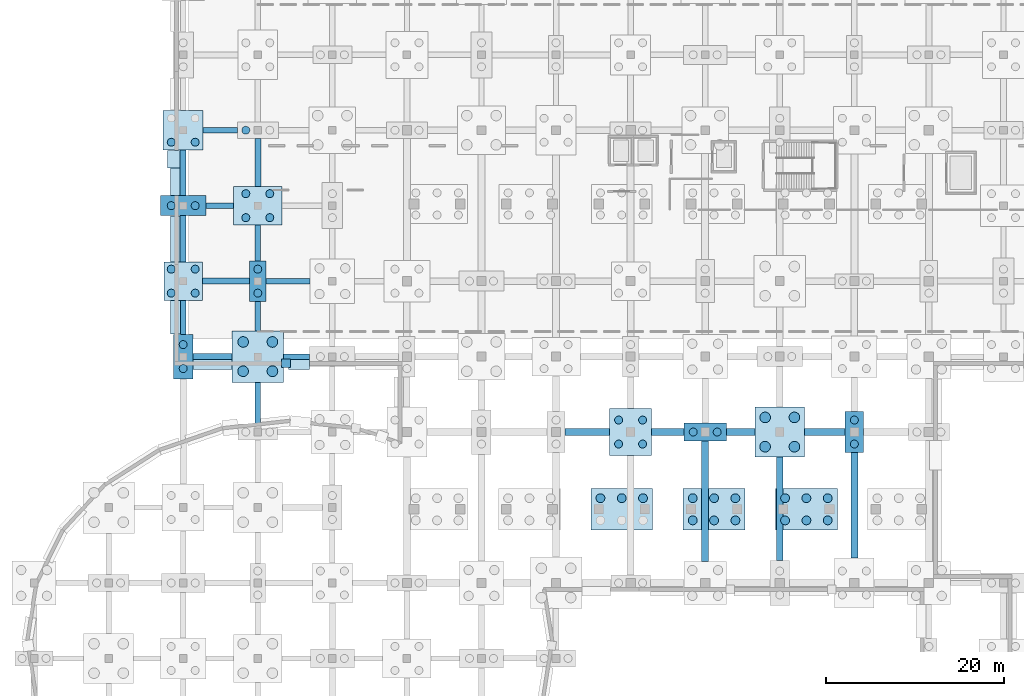
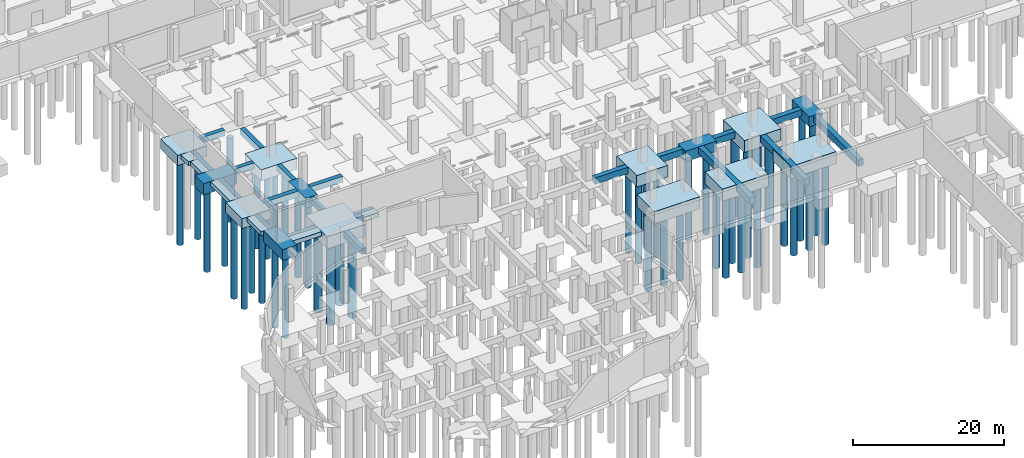
# One storey, part 5 of 34: 48 piles, 41 footings.
"""IFC4 building model written with IfcOpenShell, lengths in metres."""

from ifc_helpers import new_model, si_unit, direction, frame, origin, origin_2d, place, context, subcontext, project, spatial, rectangle, circle, extrude, material, material_profile, profile_set, type_object, element, save


model = new_model("IFC4")

# Units and contexts
model_context = context("Model", 3, precision=1e-05, world=origin(), true_north=direction((0.0, 1.0)))
body_context = subcontext(model_context, "Body", "Model", "MODEL_VIEW")
ifc_project = project(units=[si_unit("LENGTHUNIT", "METRE"), si_unit("AREAUNIT", "SQUARE_METRE"), si_unit("VOLUMEUNIT", "CUBIC_METRE"), si_unit("PLANEANGLEUNIT", "RADIAN"), si_unit("MASSUNIT", "GRAM", prefix="KILO")], contexts=[model_context])

# Site, building, storey
site_placement = place(None, origin())
site = spatial("IfcSite", under=ifc_project, at=site_placement, CompositionType="ELEMENT")
building_placement = place(site_placement, origin())
building = spatial("IfcBuilding", under=site, at=building_placement, Name="Solvento Point Concert Hall", CompositionType="ELEMENT")
storey_placement = place(building_placement, frame((0.0, 0.0, -5.39990234375)))
storey = spatial("IfcBuildingStorey", under=building, at=storey_placement, Name="B01", CompositionType="ELEMENT", Elevation=-5.39990234375)

# Piles
ifc_material_1 = material(Name="Concrete C40/50", Category="concrete")
ifc_material_profile_1 = material_profile(ifc_material_1, circle(Radius=0.5, at=origin_2d()), Name="BP-1000")
ifc_profile_set_1 = profile_set([ifc_material_profile_1], Name="Concrete C40/50")
pile_type_1 = type_object("IfcPileType", Name="BoredPile_1000", PredefinedType="BORED", material=ifc_profile_set_1)
for number, where, z_axis, x_axis, name in (
    (1, (96.199951171875, 52.050048828125, -1.880126953125), (0.0, 0.0, -1.0), (1.0, 0.0, 0.0), "Bored pile BoredPile_1000 #842"),
    (2, (98.60009765625, 52.050048828125, -1.880126953125), (0.0, 0.0, -1.0), (1.0, 0.0, 0.0), "Bored pile BoredPile_1000 #843"),
    (3, (101.0, 52.050048828125, -1.880126953125), (0.0, 0.0, -1.0), (1.0, 0.0, 0.0), "Bored pile BoredPile_1000 #844"),
    (4, (106.60009765625, 49.550048828125, -1.880126953125), (0.0, 0.0, -1.0), (1.0, 0.0, 0.0), "Bored pile BoredPile_1000 #851"),
    (5, (109.0, 49.550048828125, -1.880126953125), (0.0, 0.0, -1.0), (1.0, 0.0, 0.0), "Bored pile BoredPile_1000 #852"),
    (6, (111.39990234375, 49.550048828125, -1.880126953125), (0.0, 0.0, -1.0), (1.0, 0.0, 0.0), "Bored pile BoredPile_1000 #853"),
    (7, (106.60009765625, 52.050048828125, -1.880126953125), (0.0, 0.0, -1.0), (1.0, 0.0, 0.0), "Bored pile BoredPile_1000 #854"),
    (8, (109.0, 52.050048828125, -1.880126953125), (0.0, 0.0, -1.0), (1.0, 0.0, 0.0), "Bored pile BoredPile_1000 #855"),
    (9, (111.39990234375, 52.050048828125, -1.880126953125), (0.0, 0.0, -1.0), (1.0, 0.0, 0.0), "Bored pile BoredPile_1000 #856"),
    (10, (117.0, 49.550048828125, -1.880126953125), (0.0, 0.0, -1.0), (1.0, 0.0, 0.0), "Bored pile BoredPile_1000 #863"),
    (11, (119.39990234375, 49.550048828125, -1.880126953125), (0.0, 0.0, -1.0), (1.0, 0.0, 0.0), "Bored pile BoredPile_1000 #864"),
    (12, (121.800048828125, 49.550048828125, -1.880126953125), (0.0, 0.0, -1.0), (1.0, 0.0, 0.0), "Bored pile BoredPile_1000 #865"),
    (13, (117.0, 52.050048828125, -1.880126953125), (0.0, 0.0, -1.0), (1.0, 0.0, 0.0), "Bored pile BoredPile_1000 #866"),
    (14, (119.39990234375, 52.050048828125, -1.880126953125), (0.0, 0.0, -1.0), (1.0, 0.0, 0.0), "Bored pile BoredPile_1000 #867"),
    (15, (121.800048828125, 52.050048828125, -1.880126953125), (0.0, 0.0, -1.0), (1.0, 0.0, 0.0), "Bored pile BoredPile_1000 #868"),
):
    element("IfcPile", number, at=place(storey_placement, frame(where, z_axis=z_axis, x_axis=x_axis)), inside=storey, type_object=pile_type_1, Name=name, PredefinedType="BORED", context=body_context, shape_type="SweptSolid", body=[
        extrude(circle(Radius=0.5, at=origin_2d()), origin(), (0.0, 0.0, 1.0), 13.219970703125),
    ])
ifc_material_2 = material(Name="Concrete C40/50", Category="concrete")
ifc_material_profile_2 = material_profile(ifc_material_2, circle(Radius=0.60009765625, at=origin_2d()), Name="BP-1200")
ifc_profile_set_2 = profile_set([ifc_material_profile_2], Name="Concrete C40/50")
pile_type_2 = type_object("IfcPileType", Name="BoredPile_1200", PredefinedType="BORED", material=ifc_profile_set_2)
for number, where, z_axis, x_axis, name in (
    (16, (55.949951171875, 66.35009765625, -1.85009765625), (0.0, 0.0, -1.0), (1.0, 0.0, 0.0), "Bored pile BoredPile_1200 #187"),
    (17, (59.25, 66.35009765625, -1.85009765625), (0.0, 0.0, -1.0), (1.0, 0.0, 0.0), "Bored pile BoredPile_1200 #188"),
    (18, (55.949951171875, 69.64990234375, -1.85009765625), (0.0, 0.0, -1.0), (1.0, 0.0, 0.0), "Bored pile BoredPile_1200 #189"),
    (19, (59.25, 69.64990234375, -1.85009765625), (0.0, 0.0, -1.0), (1.0, 0.0, 0.0), "Bored pile BoredPile_1200 #190"),
):
    element("IfcPile", number, at=place(storey_placement, frame(where, z_axis=z_axis, x_axis=x_axis)), inside=storey, type_object=pile_type_2, Name=name, PredefinedType="BORED", context=body_context, shape_type="SweptSolid", body=[
        extrude(circle(Radius=0.60009765625, at=origin_2d()), origin(), (0.0, 0.0, 1.0), 13.25),
    ])
for number, where, z_axis, x_axis, name in (
    (20, (114.75, 57.85009765625, -1.800048828125), (0.0, 0.0, -1.0), (1.0, 0.0, 0.0), "Bored pile BoredPile_1200 #397"),
    (21, (118.050048828125, 57.85009765625, -1.800048828125), (0.0, 0.0, -1.0), (1.0, 0.0, 0.0), "Bored pile BoredPile_1200 #398"),
    (22, (114.75, 61.14990234375, -1.800048828125), (0.0, 0.0, -1.0), (1.0, 0.0, 0.0), "Bored pile BoredPile_1200 #399"),
    (23, (118.050048828125, 61.14990234375, -1.800048828125), (0.0, 0.0, -1.0), (1.0, 0.0, 0.0), "Bored pile BoredPile_1200 #400"),
):
    element("IfcPile", number, at=place(storey_placement, frame(where, z_axis=z_axis, x_axis=x_axis)), inside=storey, type_object=pile_type_2, Name=name, PredefinedType="BORED", context=body_context, shape_type="SweptSolid", body=[
        extrude(circle(Radius=0.60009765625, at=origin_2d()), origin(), (0.0, 0.0, 1.0), 13.300048828125),
    ])
ifc_material_3 = material(Name="Concrete C40/50", Category="concrete")
ifc_material_profile_3 = material_profile(ifc_material_3, circle(Radius=0.449951171875, at=origin_2d()), Name="BP-900")
ifc_profile_set_3 = profile_set([ifc_material_profile_3], Name="Concrete C40/50")
pile_type_3 = type_object("IfcPileType", Name="BoredPile_900", PredefinedType="BORED", material=ifc_profile_set_3)
for number, where, z_axis, x_axis, name in (
    (24, (49.199951171875, 66.64990234375, -1.68017578125), (0.0, 0.0, -1.0), (1.0, 0.0, 0.0), "Bored pile BoredPile_900 #143"),
    (25, (49.199951171875, 69.35009765625, -1.68017578125), (0.0, 0.0, -1.0), (1.0, 0.0, 0.0), "Bored pile BoredPile_900 #144"),
):
    element("IfcPile", number, at=place(storey_placement, frame(where, z_axis=z_axis, x_axis=x_axis)), inside=storey, type_object=pile_type_3, Name=name, PredefinedType="BORED", context=body_context, shape_type="SweptSolid", body=[
        extrude(circle(Radius=0.449951171875, at=origin_2d()), origin(), (0.0, 0.0, 1.0), 13.419921875),
    ])
for number, where, z_axis, x_axis, name in (
    (26, (47.85009765625, 75.14990234375, -1.5), (0.0, 0.0, -1.0), (1.0, 0.0, 0.0), "Bored pile BoredPile_900 #145"),
    (27, (50.550048828125, 75.14990234375, -1.5), (0.0, 0.0, -1.0), (1.0, 0.0, 0.0), "Bored pile BoredPile_900 #146"),
    (28, (47.85009765625, 77.85009765625, -1.5), (0.0, 0.0, -1.0), (1.0, 0.0, 0.0), "Bored pile BoredPile_900 #147"),
    (29, (50.550048828125, 77.85009765625, -1.5), (0.0, 0.0, -1.0), (1.0, 0.0, 0.0), "Bored pile BoredPile_900 #148"),
):
    element("IfcPile", number, at=place(storey_placement, frame(where, z_axis=z_axis, x_axis=x_axis)), inside=storey, type_object=pile_type_3, Name=name, PredefinedType="BORED", context=body_context, shape_type="SweptSolid", body=[
        extrude(circle(Radius=0.449951171875, at=origin_2d()), origin(), (0.0, 0.0, 1.0), 13.60009765625),
    ])
for number, where, z_axis, x_axis, name in (
    (30, (47.85009765625, 85.0, -1.7001953125), (0.0, 0.0, -1.0), (1.0, 0.0, 0.0), "Bored pile BoredPile_900 #149"),
    (31, (50.550048828125, 85.0, -1.7001953125), (0.0, 0.0, -1.0), (1.0, 0.0, 0.0), "Bored pile BoredPile_900 #150"),
):
    element("IfcPile", number, at=place(storey_placement, frame(where, z_axis=z_axis, x_axis=x_axis)), inside=storey, type_object=pile_type_3, Name=name, PredefinedType="BORED", context=body_context, shape_type="SweptSolid", body=[
        extrude(circle(Radius=0.449951171875, at=origin_2d()), origin(), (0.0, 0.0, 1.0), 13.39990234375),
    ])
for number, where, z_axis, x_axis, name in (
    (32, (47.85009765625, 92.14990234375, -1.550048828125), (0.0, 0.0, -1.0), (1.0, 0.0, 0.0), "Bored pile BoredPile_900 #151"),
    (33, (50.550048828125, 92.14990234375, -1.550048828125), (0.0, 0.0, -1.0), (1.0, 0.0, 0.0), "Bored pile BoredPile_900 #152"),
):
    element("IfcPile", number, at=place(storey_placement, frame(where, z_axis=z_axis, x_axis=x_axis)), inside=storey, type_object=pile_type_3, Name=name, PredefinedType="BORED", context=body_context, shape_type="SweptSolid", body=[
        extrude(circle(Radius=0.449951171875, at=origin_2d()), origin(), (0.0, 0.0, 1.0), 13.550048828125),
    ])
for number, where, z_axis, x_axis, name in (
    (34, (57.60009765625, 75.14990234375, -1.52001953125), (0.0, 0.0, -1.0), (1.0, 0.0, 0.0), "Bored pile BoredPile_900 #191"),
    (35, (57.60009765625, 77.85009765625, -1.52001953125), (0.0, 0.0, -1.0), (1.0, 0.0, 0.0), "Bored pile BoredPile_900 #192"),
):
    element("IfcPile", number, at=place(storey_placement, frame(where, z_axis=z_axis, x_axis=x_axis)), inside=storey, type_object=pile_type_3, Name=name, PredefinedType="BORED", context=body_context, shape_type="SweptSolid", body=[
        extrude(circle(Radius=0.449951171875, at=origin_2d()), origin(), (0.0, 0.0, 1.0), 13.580078125),
    ])
for number, where, z_axis, x_axis, name in (
    (36, (56.25, 83.64990234375, -1.68017578125), (0.0, 0.0, -1.0), (1.0, 0.0, 0.0), "Bored pile BoredPile_900 #193"),
    (37, (58.949951171875, 83.64990234375, -1.68017578125), (0.0, 0.0, -1.0), (1.0, 0.0, 0.0), "Bored pile BoredPile_900 #194"),
    (38, (56.25, 86.35009765625, -1.68017578125), (0.0, 0.0, -1.0), (1.0, 0.0, 0.0), "Bored pile BoredPile_900 #195"),
    (39, (58.949951171875, 86.35009765625, -1.68017578125), (0.0, 0.0, -1.0), (1.0, 0.0, 0.0), "Bored pile BoredPile_900 #196"),
):
    element("IfcPile", number, at=place(storey_placement, frame(where, z_axis=z_axis, x_axis=x_axis)), inside=storey, type_object=pile_type_3, Name=name, PredefinedType="BORED", context=body_context, shape_type="SweptSolid", body=[
        extrude(circle(Radius=0.449951171875, at=origin_2d()), origin(), (0.0, 0.0, 1.0), 13.419921875),
    ])
pile_placement = place(storey_placement, frame((56.25, 93.5, -1.550048828125), z_axis=(0.0, 0.0, -1.0), x_axis=(1.0, 0.0, 0.0)))
element("IfcPile", 40, at=pile_placement, inside=storey, type_object=pile_type_3, Name="Bored pile BoredPile_900 #197", PredefinedType="BORED", context=body_context, shape_type="SweptSolid", body=[
    extrude(circle(Radius=0.449951171875, at=origin_2d()), origin(), (0.0, 0.0, 1.0), 13.550048828125),
])
for number, where, z_axis, x_axis, name in (
    (41, (98.25, 58.14990234375, -1.760009765625), (0.0, 0.0, -1.0), (1.0, 0.0, 0.0), "Bored pile BoredPile_900 #355"),
    (42, (100.949951171875, 58.14990234375, -1.760009765625), (0.0, 0.0, -1.0), (1.0, 0.0, 0.0), "Bored pile BoredPile_900 #356"),
    (43, (98.25, 60.85009765625, -1.760009765625), (0.0, 0.0, -1.0), (1.0, 0.0, 0.0), "Bored pile BoredPile_900 #357"),
    (44, (100.949951171875, 60.85009765625, -1.760009765625), (0.0, 0.0, -1.0), (1.0, 0.0, 0.0), "Bored pile BoredPile_900 #358"),
):
    element("IfcPile", number, at=place(storey_placement, frame(where, z_axis=z_axis, x_axis=x_axis)), inside=storey, type_object=pile_type_3, Name=name, PredefinedType="BORED", context=body_context, shape_type="SweptSolid", body=[
        extrude(circle(Radius=0.449951171875, at=origin_2d()), origin(), (0.0, 0.0, 1.0), 13.340087890625),
    ])
for number, where, z_axis, x_axis, name in (
    (45, (106.64990234375, 59.5, -1.60009765625), (0.0, 0.0, -1.0), (1.0, 0.0, 0.0), "Bored pile BoredPile_900 #377"),
    (46, (109.35009765625, 59.5, -1.60009765625), (0.0, 0.0, -1.0), (1.0, 0.0, 0.0), "Bored pile BoredPile_900 #378"),
):
    element("IfcPile", number, at=place(storey_placement, frame(where, z_axis=z_axis, x_axis=x_axis)), inside=storey, type_object=pile_type_3, Name=name, PredefinedType="BORED", context=body_context, shape_type="SweptSolid", body=[
        extrude(circle(Radius=0.449951171875, at=origin_2d()), origin(), (0.0, 0.0, 1.0), 13.5),
    ])
for number, where, z_axis, x_axis, name in (
    (47, (124.800048828125, 58.14990234375, -1.56005859375), (0.0, 0.0, -1.0), (1.0, 0.0, 0.0), "Bored pile BoredPile_900 #419"),
    (48, (124.800048828125, 60.85009765625, -1.56005859375), (0.0, 0.0, -1.0), (1.0, 0.0, 0.0), "Bored pile BoredPile_900 #420"),
):
    element("IfcPile", number, at=place(storey_placement, frame(where, z_axis=z_axis, x_axis=x_axis)), inside=storey, type_object=pile_type_3, Name=name, PredefinedType="BORED", context=body_context, shape_type="SweptSolid", body=[
        extrude(circle(Radius=0.449951171875, at=origin_2d()), origin(), (0.0, 0.0, 1.0), 13.5400390625),
    ])

# Footings
ifc_material_4 = material(Name="Concrete C40/50", Category="concrete")
footing_type_1 = type_object("IfcFootingType", Name="PileCap_2D", PredefinedType="PILE_CAP", material=ifc_material_4)
footing_1_placement = place(storey_placement, frame((57.60009765625, 76.5, -1.6201171875), z_axis=(0.0, 0.0, 1.0), x_axis=(1.0, 0.0, 0.0)))
element("IfcFooting", 49, at=footing_1_placement, inside=storey, type_object=footing_type_1, Name="Pile cap PC-2D at G-08-K", PredefinedType="PILE_CAP", context=body_context, shape_type="SweptSolid", body=[
    extrude(rectangle(XDim=1.840087890625, YDim=4.5400390625, at=origin_2d()), origin(), (0.0, 0.0, 1.0), 1.6201171875),
])
ifc_material_5 = material(Name="Concrete C40/50", Category="concrete")
footing_type_2 = type_object("IfcFootingType", Name="PileCap_2G", PredefinedType="PILE_CAP", material=ifc_material_5)
footing_2_placement = place(storey_placement, frame((108.0, 59.5, -1.7001953125), z_axis=(0.0, 0.0, 1.0), x_axis=(1.0, 0.0, 0.0)))
element("IfcFooting", 50, at=footing_2_placement, inside=storey, type_object=footing_type_2, Name="Pile cap PC-2G at G-14-H", PredefinedType="PILE_CAP", context=body_context, shape_type="SweptSolid", body=[
    extrude(rectangle(XDim=4.780029296875, YDim=2.02001953125, at=origin_2d()), origin(), (0.0, 0.0, 1.0), 1.699951171875),
])
ifc_material_6 = material(Name="Concrete C40/50", Category="concrete")
footing_type_3 = type_object("IfcFootingType", Name="PileCap_2K", PredefinedType="PILE_CAP", material=ifc_material_6)
footing_3_placement = place(storey_placement, frame((49.199951171875, 68.0, -1.7802734375), z_axis=(0.0, 0.0, 1.0), x_axis=(1.0, 0.0, 0.0)))
element("IfcFooting", 51, at=footing_3_placement, inside=storey, type_object=footing_type_3, Name="Pile cap PC-2K at G-07-J", PredefinedType="PILE_CAP", context=body_context, shape_type="SweptSolid", body=[
    extrude(rectangle(XDim=2.199951171875, YDim=5.02001953125, at=origin_2d()), origin(), (0.0, 0.0, 1.0), 1.780029296875),
])
ifc_material_7 = material(Name="Concrete C40/50", Category="concrete")
footing_type_4 = type_object("IfcFootingType", Name="PileCap_2L", PredefinedType="PILE_CAP", material=ifc_material_7)
footing_4_placement = place(storey_placement, frame((49.199951171875, 85.0, -1.80029296875), z_axis=(0.0, 0.0, 1.0), x_axis=(1.0, 0.0, 0.0)))
element("IfcFooting", 52, at=footing_4_placement, inside=storey, type_object=footing_type_4, Name="Pile cap PC-2L at G-07-L", PredefinedType="PILE_CAP", context=body_context, shape_type="SweptSolid", body=[
    extrude(rectangle(XDim=5.10009765625, YDim=2.260009765625, at=origin_2d()), origin(), (0.0, 0.0, 1.0), 1.800048828125),
])
ifc_material_8 = material(Name="Concrete C40/50", Category="concrete")
footing_type_5 = type_object("IfcFootingType", Name="PileCap_2P", PredefinedType="PILE_CAP", material=ifc_material_8)
footing_5_placement = place(storey_placement, frame((124.800048828125, 59.5, -1.66015625), z_axis=(0.0, 0.0, 1.0), x_axis=(1.0, 0.0, 0.0)))
element("IfcFooting", 53, at=footing_5_placement, inside=storey, type_object=footing_type_5, Name="Pile cap PC-2P at G-16-H", PredefinedType="PILE_CAP", context=body_context, shape_type="SweptSolid", body=[
    extrude(rectangle(XDim=2.050048828125, YDim=4.580078125, at=origin_2d()), origin(), (0.0, 0.0, 1.0), 1.659912109375),
])
ifc_material_9 = material(Name="Concrete C40/50", Category="concrete")
footing_type_6 = type_object("IfcFootingType", Name="PileCap_4A", PredefinedType="PILE_CAP", material=ifc_material_9)
footing_6_placement = place(storey_placement, frame((49.199951171875, 76.5, -1.60009765625), z_axis=(0.0, 0.0, 1.0), x_axis=(1.0, 0.0, 0.0)))
element("IfcFooting", 54, at=footing_6_placement, inside=storey, type_object=footing_type_6, Name="Pile cap PC-4A at G-07-K", PredefinedType="PILE_CAP", context=body_context, shape_type="SweptSolid", body=[
    extrude(rectangle(XDim=4.35009765625, YDim=4.35009765625, at=origin_2d()), origin(), (0.0, 0.0, 1.0), 1.60009765625),
])
ifc_material_10 = material(Name="Concrete C40/50", Category="concrete")
footing_type_7 = type_object("IfcFootingType", Name="PileCap_4B", PredefinedType="PILE_CAP", material=ifc_material_10)
footing_7_placement = place(storey_placement, frame((49.199951171875, 93.5, -1.650146484375), z_axis=(0.0, 0.0, 1.0), x_axis=(1.0, 0.0, 0.0)))
element("IfcFooting", 55, at=footing_7_placement, inside=storey, type_object=footing_type_7, Name="Pile cap PC-4B at G-07-M", PredefinedType="PILE_CAP", context=body_context, shape_type="SweptSolid", body=[
    extrude(rectangle(XDim=4.5, YDim=4.5, at=origin_2d()), origin(), (0.0, 0.0, 1.0), 1.64990234375),
])
ifc_material_11 = material(Name="Concrete C40/50", Category="concrete")
footing_type_8 = type_object("IfcFootingType", Name="PileCap_4G", PredefinedType="PILE_CAP", material=ifc_material_11)
footing_8_placement = place(storey_placement, frame((116.39990234375, 59.5, -1.900146484375), z_axis=(0.0, 0.0, 1.0), x_axis=(1.0, 0.0, 0.0)))
element("IfcFooting", 56, at=footing_8_placement, inside=storey, type_object=footing_type_8, Name="Pile cap PC-4G at G-15-H", PredefinedType="PILE_CAP", context=body_context, shape_type="SweptSolid", body=[
    extrude(rectangle(XDim=5.6201171875, YDim=5.6201171875, at=origin_2d()), origin(), (0.0, 0.0, 1.0), 1.89990234375),
])
ifc_material_12 = material(Name="Concrete C40/50", Category="concrete")
footing_type_9 = type_object("IfcFootingType", Name="PileCap_4H", PredefinedType="PILE_CAP", material=ifc_material_12)
footing_9_placement = place(storey_placement, frame((57.60009765625, 68.0, -1.9501953125), z_axis=(0.0, 0.0, 1.0), x_axis=(1.0, 0.0, 0.0)))
element("IfcFooting", 57, at=footing_9_placement, inside=storey, type_object=footing_type_9, Name="Pile cap PC-4H at G-08-J", PredefinedType="PILE_CAP", context=body_context, shape_type="SweptSolid", body=[
    extrude(rectangle(XDim=5.800048828125, YDim=5.800048828125, at=origin_2d()), origin(), (0.0, 0.0, 1.0), 1.949951171875),
])
ifc_material_13 = material(Name="Concrete C40/50", Category="concrete")
footing_type_10 = type_object("IfcFootingType", Name="PileCap_4J", PredefinedType="PILE_CAP", material=ifc_material_13)
footing_10_placement = place(storey_placement, frame((57.60009765625, 85.0, -1.7802734375), z_axis=(0.0, 0.0, 1.0), x_axis=(1.0, 0.0, 0.0)))
element("IfcFooting", 58, at=footing_10_placement, inside=storey, type_object=footing_type_10, Name="Pile cap PC-4J at G-08-L", PredefinedType="PILE_CAP", context=body_context, shape_type="SweptSolid", body=[
    extrude(rectangle(XDim=5.4599609375, YDim=4.360107421875, at=origin_2d()), origin(), (0.0, 0.0, 1.0), 1.780029296875),
])
ifc_material_14 = material(Name="Concrete C40/50", Category="concrete")
footing_type_11 = type_object("IfcFootingType", Name="PileCap_4M", PredefinedType="PILE_CAP", material=ifc_material_14)
footing_11_placement = place(storey_placement, frame((99.60009765625, 59.5, -1.8603515625), z_axis=(0.0, 0.0, 1.0), x_axis=(1.0, 0.0, 0.0)))
element("IfcFooting", 59, at=footing_11_placement, inside=storey, type_object=footing_type_11, Name="Pile cap PC-4M at G-13-H", PredefinedType="PILE_CAP", context=body_context, shape_type="SweptSolid", body=[
    extrude(rectangle(XDim=4.739990234375, YDim=5.300048828125, at=origin_2d()), origin(), (0.0, 0.0, 1.0), 1.860107421875),
])
ifc_material_15 = material(Name="Concrete C40/50", Category="concrete")
footing_type_12 = type_object("IfcFootingType", Name="PileCap_6C", PredefinedType="PILE_CAP", material=ifc_material_15)
for number, where, z_axis, x_axis, name in (
    (60, (98.60009765625, 50.800048828125, -1.97998046875), (0.0, 0.0, 1.0), (1.0, 0.0, 0.0), "Pile cap PC-6C at D-DS05"),
    (61, (109.0, 50.800048828125, -1.97998046875), (0.0, 0.0, 1.0), (1.0, 0.0, 0.0), "Pile cap PC-6C at D-DS07"),
    (62, (119.39990234375, 50.800048828125, -1.97998046875), (0.0, 0.0, 1.0), (1.0, 0.0, 0.0), "Pile cap PC-6C at D-DS09"),
):
    element("IfcFooting", number, at=place(storey_placement, frame(where, z_axis=z_axis, x_axis=x_axis)), inside=storey, type_object=footing_type_12, Name=name, PredefinedType="PILE_CAP", context=body_context, shape_type="SweptSolid", body=[
        extrude(rectangle(XDim=6.97998046875, YDim=4.639892578125, at=origin_2d()), origin(), (0.0, 0.0, 1.0), 1.97998046875),
    ])
ifc_material_16 = material(Name="Concrete C40/50", Category="concrete")
footing_type_13 = type_object("IfcFootingType", Name="StripFooting_1400x700", PredefinedType="STRIP_FOOTING", material=ifc_material_16)
footing_12_placement = place(storey_placement, frame((62.242431640625, 67.2451171875, -0.7001953125), z_axis=(0.0, 0.0, 1.0), x_axis=(-1.0, 0.0, 0.0)))
element("IfcFooting", 63, at=footing_12_placement, inside=storey, type_object=footing_type_13, Name="Strip footing SF-02", PredefinedType="STRIP_FOOTING", context=body_context, shape_type="SweptSolid", body=[
    extrude(rectangle(XDim=2.39501953125, YDim=1.39990234375, at=origin_2d()), origin(), (0.0, 0.0, 1.0), 0.699951171875),
])
footing_13_placement = place(storey_placement, frame((60.7724609375, 67.2451171875, -0.7001953125), z_axis=(0.0, 0.0, 1.0), x_axis=(-1.0, 0.0, 0.0)))
element("IfcFooting", 64, at=footing_13_placement, inside=storey, type_object=footing_type_13, Name="Strip footing SF-02", PredefinedType="STRIP_FOOTING", context=body_context, shape_type="SweptSolid", body=[
    extrude(rectangle(XDim=1.0, YDim=1.0, at=origin_2d()), origin(), (0.0, 0.0, 1.0), 0.699951171875),
])
footing_14_placement = place(storey_placement, frame((52.5, 67.2451171875, -0.7001953125), z_axis=(0.0, 0.0, 1.0), x_axis=(-1.0, 0.0, 0.0)))
element("IfcFooting", 65, at=footing_14_placement, inside=storey, type_object=footing_type_13, Name="Strip footing SF-02", PredefinedType="STRIP_FOOTING", context=body_context, shape_type="SweptSolid", body=[
    extrude(rectangle(XDim=4.3798828125, YDim=1.39990234375, at=origin_2d()), origin(), (0.0, 0.0, 1.0), 0.699951171875),
])
footing_15_placement = place(storey_placement, frame((48.445068359375, 72.41748046875, -0.7001953125), z_axis=(0.0, 0.0, 1.0), x_axis=(0.0, 1.0, 0.0)))
element("IfcFooting", 66, at=footing_15_placement, inside=storey, type_object=footing_type_13, Name="Strip footing SF-02", PredefinedType="STRIP_FOOTING", context=body_context, shape_type="SweptSolid", body=[
    extrude(rectangle(XDim=3.794921875, YDim=1.39990234375, at=origin_2d()), origin(), (0.0, 0.0, 1.0), 0.699951171875),
])
footing_16_placement = place(storey_placement, frame((48.445068359375, 81.2724609375, -0.7001953125), z_axis=(0.0, 0.0, 1.0), x_axis=(0.0, 1.0, 0.0)))
element("IfcFooting", 67, at=footing_16_placement, inside=storey, type_object=footing_type_13, Name="Strip footing SF-02", PredefinedType="STRIP_FOOTING", context=body_context, shape_type="SweptSolid", body=[
    extrude(rectangle(XDim=5.175048828125, YDim=1.39990234375, at=origin_2d()), origin(), (0.0, 0.0, 1.0), 0.699951171875),
])
footing_17_placement = place(storey_placement, frame((48.445068359375, 87.695068359375, -0.7001953125), z_axis=(0.0, 0.0, 1.0), x_axis=(0.0, 1.0, 0.0)))
element("IfcFooting", 68, at=footing_17_placement, inside=storey, type_object=footing_type_13, Name="Strip footing SF-02", PredefinedType="STRIP_FOOTING", context=body_context, shape_type="SweptSolid", body=[
    extrude(rectangle(XDim=3.110107421875, YDim=1.39990234375, at=origin_2d()), origin(), (0.0, 0.0, 1.0), 0.699951171875),
])
footing_18_placement = place(storey_placement, frame((48.445068359375, 90.25, -0.7001953125), z_axis=(0.0, 0.0, 1.0), x_axis=(0.0, 1.0, 0.0)))
element("IfcFooting", 69, at=footing_18_placement, inside=storey, type_object=footing_type_13, Name="Strip footing SF-02", PredefinedType="STRIP_FOOTING", context=body_context, shape_type="SweptSolid", body=[
    extrude(rectangle(XDim=1.97998046875, YDim=1.97998046875, at=origin_2d()), origin(), (0.0, 0.0, 1.0), 0.699951171875),
])
ifc_material_17 = material(Name="Concrete C40/50", Category="concrete")
footing_type_14 = type_object("IfcFootingType", Name="TieBeam_600x900", PredefinedType="FOOTING_BEAM", material=ifc_material_17)
footing_19_placement = place(storey_placement, frame((61.97509765625, 68.0, -0.900146484375), z_axis=(0.0, 0.0, 1.0), x_axis=(1.0, 0.0, 0.0)))
element("IfcFooting", 70, at=footing_19_placement, inside=storey, type_object=footing_type_14, Name="Seismic tie beam GB-01", PredefinedType="FOOTING_BEAM", context=body_context, shape_type="SweptSolid", body=[
    extrude(rectangle(XDim=2.949951171875, YDim=0.60009765625, at=origin_2d()), origin(), (0.0, 0.0, 1.0), 0.89990234375),
])
footing_20_placement = place(storey_placement, frame((53.31005859375, 85.0, -0.900146484375), z_axis=(0.0, 0.0, 1.0), x_axis=(1.0, 0.0, 0.0)))
element("IfcFooting", 71, at=footing_20_placement, inside=storey, type_object=footing_type_14, Name="Seismic tie beam GB-01", PredefinedType="FOOTING_BEAM", context=body_context, shape_type="SweptSolid", body=[
    extrude(rectangle(XDim=3.1201171875, YDim=0.60009765625, at=origin_2d()), origin(), (0.0, 0.0, 1.0), 0.89990234375),
])
footing_21_placement = place(storey_placement, frame((57.60009765625, 72.56494140625, -0.900146484375), z_axis=(0.0, 0.0, 1.0), x_axis=(0.0, 1.0, 0.0)))
element("IfcFooting", 72, at=footing_21_placement, inside=storey, type_object=footing_type_14, Name="Seismic tie beam GB-01", PredefinedType="FOOTING_BEAM", context=body_context, shape_type="SweptSolid", body=[
    extrude(rectangle(XDim=3.330078125, YDim=0.60009765625, at=origin_2d()), origin(), (0.0, 0.0, 1.0), 0.89990234375),
])
ifc_material_18 = material(Name="Concrete C40/50", Category="concrete")
footing_type_15 = type_object("IfcFootingType", Name="TieBeam_620x920", PredefinedType="FOOTING_BEAM", material=ifc_material_18)
footing_22_placement = place(storey_placement, frame((53.3701171875, 93.5, -0.920166015625), z_axis=(0.0, 0.0, 1.0), x_axis=(1.0, 0.0, 0.0)))
element("IfcFooting", 73, at=footing_22_placement, inside=storey, type_object=footing_type_15, Name="Seismic tie beam GB-02", PredefinedType="FOOTING_BEAM", context=body_context, shape_type="SweptSolid", body=[
    extrude(rectangle(XDim=3.840087890625, YDim=0.6201171875, at=origin_2d()), origin(), (0.0, 0.0, 1.0), 0.919921875),
])
footing_23_placement = place(storey_placement, frame((49.199951171875, 72.41748046875, -0.920166015625), z_axis=(0.0, 0.0, 1.0), x_axis=(0.0, 1.0, 0.0)))
element("IfcFooting", 74, at=footing_23_placement, inside=storey, type_object=footing_type_15, Name="Seismic tie beam GB-02", PredefinedType="FOOTING_BEAM", context=body_context, shape_type="SweptSolid", body=[
    extrude(rectangle(XDim=3.81494140625, YDim=0.6201171875, at=origin_2d()), origin(), (0.0, 0.0, 1.0), 0.919921875),
])
footing_24_placement = place(storey_placement, frame((57.60009765625, 80.794921875, -0.920166015625), z_axis=(0.0, 0.0, 1.0), x_axis=(0.0, 1.0, 0.0)))
element("IfcFooting", 75, at=footing_24_placement, inside=storey, type_object=footing_type_15, Name="Seismic tie beam GB-02", PredefinedType="FOOTING_BEAM", context=body_context, shape_type="SweptSolid", body=[
    extrude(rectangle(XDim=4.050048828125, YDim=0.6201171875, at=origin_2d()), origin(), (0.0, 0.0, 1.0), 0.919921875),
])
ifc_material_19 = material(Name="Concrete C40/50", Category="concrete")
footing_type_16 = type_object("IfcFootingType", Name="TieBeam_650x950", PredefinedType="FOOTING_BEAM", material=ifc_material_19)
footing_25_placement = place(storey_placement, frame((52.5, 68.0, -0.9501953125), z_axis=(0.0, 0.0, 1.0), x_axis=(1.0, 0.0, 0.0)))
element("IfcFooting", 76, at=footing_25_placement, inside=storey, type_object=footing_type_16, Name="Seismic tie beam GB-03", PredefinedType="FOOTING_BEAM", context=body_context, shape_type="SweptSolid", body=[
    extrude(rectangle(XDim=4.39990234375, YDim=0.64990234375, at=origin_2d()), origin(), (0.0, 0.0, 1.0), 0.949951171875),
])
footing_26_placement = place(storey_placement, frame((61.014892578125, 76.5, -0.9501953125), z_axis=(0.0, 0.0, 1.0), x_axis=(1.0, 0.0, 0.0)))
element("IfcFooting", 77, at=footing_26_placement, inside=storey, type_object=footing_type_16, Name="Seismic tie beam GB-03", PredefinedType="FOOTING_BEAM", context=body_context, shape_type="SweptSolid", body=[
    extrude(rectangle(XDim=4.989990234375, YDim=0.64990234375, at=origin_2d()), origin(), (0.0, 0.0, 1.0), 0.949951171875),
])
footing_27_placement = place(storey_placement, frame((57.60009765625, 62.7451171875, -0.9501953125), z_axis=(0.0, 0.0, 1.0), x_axis=(0.0, 1.0, 0.0)))
element("IfcFooting", 78, at=footing_27_placement, inside=storey, type_object=footing_type_16, Name="Seismic tie beam GB-03", PredefinedType="FOOTING_BEAM", context=body_context, shape_type="SweptSolid", body=[
    extrude(rectangle(XDim=4.7099609375, YDim=0.64990234375, at=origin_2d()), origin(), (0.0, 0.0, 1.0), 0.949951171875),
])
ifc_material_20 = material(Name="Concrete C40/50", Category="concrete")
footing_type_17 = type_object("IfcFootingType", Name="TieBeam_680x980", PredefinedType="FOOTING_BEAM", material=ifc_material_20)
footing_28_placement = place(storey_placement, frame((54.027587890625, 76.5, -0.97998046875), z_axis=(0.0, 0.0, 1.0), x_axis=(1.0, 0.0, 0.0)))
element("IfcFooting", 79, at=footing_28_placement, inside=storey, type_object=footing_type_17, Name="Seismic tie beam GB-04", PredefinedType="FOOTING_BEAM", context=body_context, shape_type="SweptSolid", body=[
    extrude(rectangle(XDim=5.304931640625, YDim=0.679931640625, at=origin_2d()), origin(), (0.0, 0.0, 1.0), 0.97998046875),
])
footing_29_placement = place(storey_placement, frame((49.199951171875, 81.2724609375, -0.97998046875), z_axis=(0.0, 0.0, 1.0), x_axis=(0.0, 1.0, 0.0)))
element("IfcFooting", 80, at=footing_29_placement, inside=storey, type_object=footing_type_17, Name="Seismic tie beam GB-04", PredefinedType="FOOTING_BEAM", context=body_context, shape_type="SweptSolid", body=[
    extrude(rectangle(XDim=5.195068359375, YDim=0.679931640625, at=origin_2d()), origin(), (0.0, 0.0, 1.0), 0.97998046875),
])
footing_30_placement = place(storey_placement, frame((49.199951171875, 88.68994140625, -0.97998046875), z_axis=(0.0, 0.0, 1.0), x_axis=(0.0, 1.0, 0.0)))
element("IfcFooting", 81, at=footing_30_placement, inside=storey, type_object=footing_type_17, Name="Seismic tie beam GB-04", PredefinedType="FOOTING_BEAM", context=body_context, shape_type="SweptSolid", body=[
    extrude(rectangle(XDim=5.1201171875, YDim=0.679931640625, at=origin_2d()), origin(), (0.0, 0.0, 1.0), 0.97998046875),
])
footing_31_placement = place(storey_placement, frame((57.60009765625, 89.864990234375, -0.97998046875), z_axis=(0.0, 0.0, 1.0), x_axis=(0.0, 1.0, 0.0)))
element("IfcFooting", 82, at=footing_31_placement, inside=storey, type_object=footing_type_17, Name="Seismic tie beam GB-04", PredefinedType="FOOTING_BEAM", context=body_context, shape_type="SweptSolid", body=[
    extrude(rectangle(XDim=5.3701171875, YDim=0.679931640625, at=origin_2d()), origin(), (0.0, 0.0, 1.0), 0.97998046875),
])
ifc_material_21 = material(Name="Concrete C40/50", Category="concrete")
footing_type_18 = type_object("IfcFootingType", Name="TieBeam_750x1050", PredefinedType="FOOTING_BEAM", material=ifc_material_21)
footing_32_placement = place(storey_placement, frame((94.7275390625, 59.5, -1.05029296875), z_axis=(0.0, 0.0, 1.0), x_axis=(1.0, 0.0, 0.0)))
element("IfcFooting", 83, at=footing_32_placement, inside=storey, type_object=footing_type_18, Name="Seismic tie beam GB-07", PredefinedType="FOOTING_BEAM", context=body_context, shape_type="SweptSolid", body=[
    extrude(rectangle(XDim=5.0048828125, YDim=0.75, at=origin_2d()), origin(), (0.0, 0.0, 1.0), 1.050048828125),
])
footing_33_placement = place(storey_placement, frame((103.7900390625, 59.5, -1.05029296875), z_axis=(0.0, 0.0, 1.0), x_axis=(1.0, 0.0, 0.0)))
element("IfcFooting", 84, at=footing_33_placement, inside=storey, type_object=footing_type_18, Name="Seismic tie beam GB-07", PredefinedType="FOOTING_BEAM", context=body_context, shape_type="SweptSolid", body=[
    extrude(rectangle(XDim=3.639892578125, YDim=0.75, at=origin_2d()), origin(), (0.0, 0.0, 1.0), 1.050048828125),
])
footing_34_placement = place(storey_placement, frame((111.989990234375, 59.5, -1.05029296875), z_axis=(0.0, 0.0, 1.0), x_axis=(1.0, 0.0, 0.0)))
element("IfcFooting", 85, at=footing_34_placement, inside=storey, type_object=footing_type_18, Name="Seismic tie beam GB-07", PredefinedType="FOOTING_BEAM", context=body_context, shape_type="SweptSolid", body=[
    extrude(rectangle(XDim=3.199951171875, YDim=0.75, at=origin_2d()), origin(), (0.0, 0.0, 1.0), 1.050048828125),
])
footing_35_placement = place(storey_placement, frame((121.492431640625, 59.5, -1.05029296875), z_axis=(0.0, 0.0, 1.0), x_axis=(1.0, 0.0, 0.0)))
element("IfcFooting", 86, at=footing_35_placement, inside=storey, type_object=footing_type_18, Name="Seismic tie beam GB-07", PredefinedType="FOOTING_BEAM", context=body_context, shape_type="SweptSolid", body=[
    extrude(rectangle(XDim=4.56494140625, YDim=0.75, at=origin_2d()), origin(), (0.0, 0.0, 1.0), 1.050048828125),
])
ifc_material_22 = material(Name="Concrete C40/50", Category="concrete")
footing_type_19 = type_object("IfcFootingType", Name="TieBeam_780x1080", PredefinedType="FOOTING_BEAM", material=ifc_material_22)
footing_36_placement = place(storey_placement, frame((108.0, 51.699951171875, -1.080078125), z_axis=(0.0, 0.0, 1.0), x_axis=(0.0, 1.0, 0.0)))
element("IfcFooting", 87, at=footing_36_placement, inside=storey, type_object=footing_type_19, Name="Seismic tie beam GB-08", PredefinedType="FOOTING_BEAM", context=body_context, shape_type="SweptSolid", body=[
    extrude(rectangle(XDim=13.580078125, YDim=0.780029296875, at=origin_2d()), origin(), (0.0, 0.0, 1.0), 1.080078125),
])
footing_37_placement = place(storey_placement, frame((116.39990234375, 50.85009765625, -1.080078125), z_axis=(0.0, 0.0, 1.0), x_axis=(0.0, 1.0, 0.0)))
element("IfcFooting", 88, at=footing_37_placement, inside=storey, type_object=footing_type_19, Name="Seismic tie beam GB-08", PredefinedType="FOOTING_BEAM", context=body_context, shape_type="SweptSolid", body=[
    extrude(rectangle(XDim=11.679931640625, YDim=0.780029296875, at=origin_2d()), origin(), (0.0, 0.0, 1.0), 1.080078125),
])
footing_38_placement = place(storey_placement, frame((124.800048828125, 51.2548828125, -1.080078125), z_axis=(0.0, 0.0, 1.0), x_axis=(0.0, 1.0, 0.0)))
element("IfcFooting", 89, at=footing_38_placement, inside=storey, type_object=footing_type_19, Name="Seismic tie beam GB-08", PredefinedType="FOOTING_BEAM", context=body_context, shape_type="SweptSolid", body=[
    extrude(rectangle(XDim=11.909912109375, YDim=0.780029296875, at=origin_2d()), origin(), (0.0, 0.0, 1.0), 1.080078125),
])

save(model, "model.ifc")
